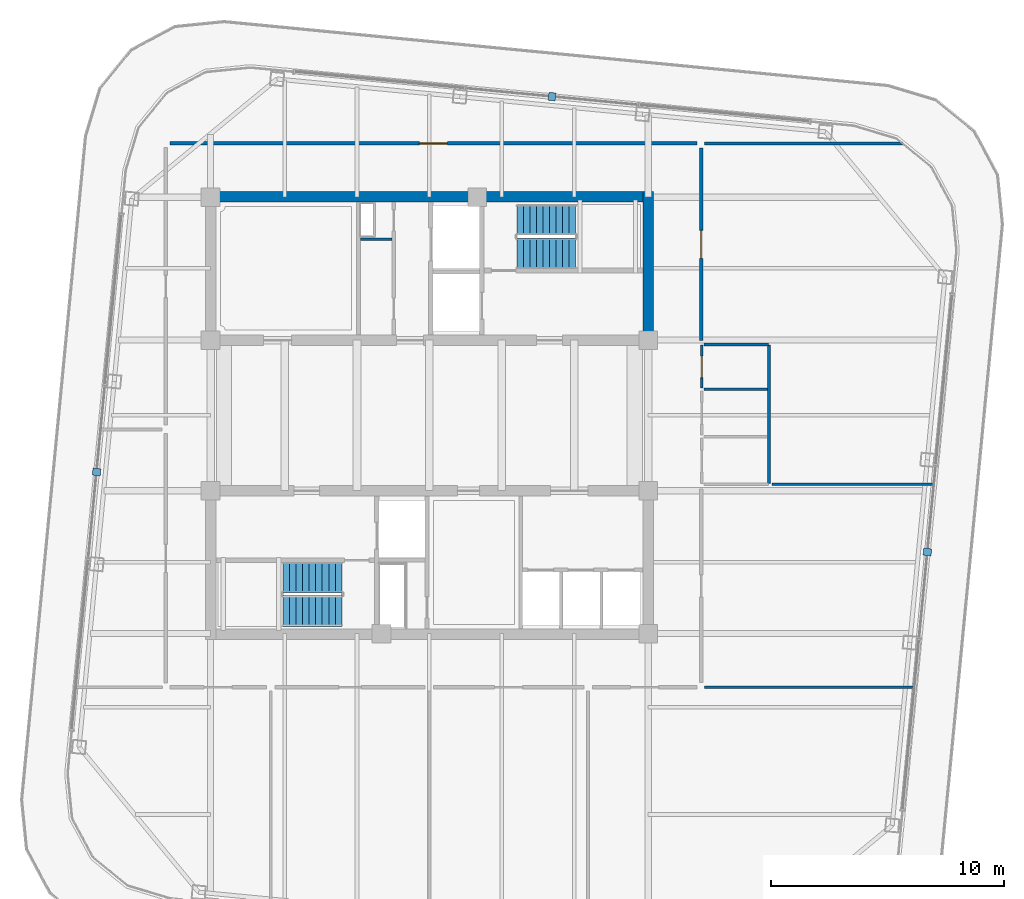
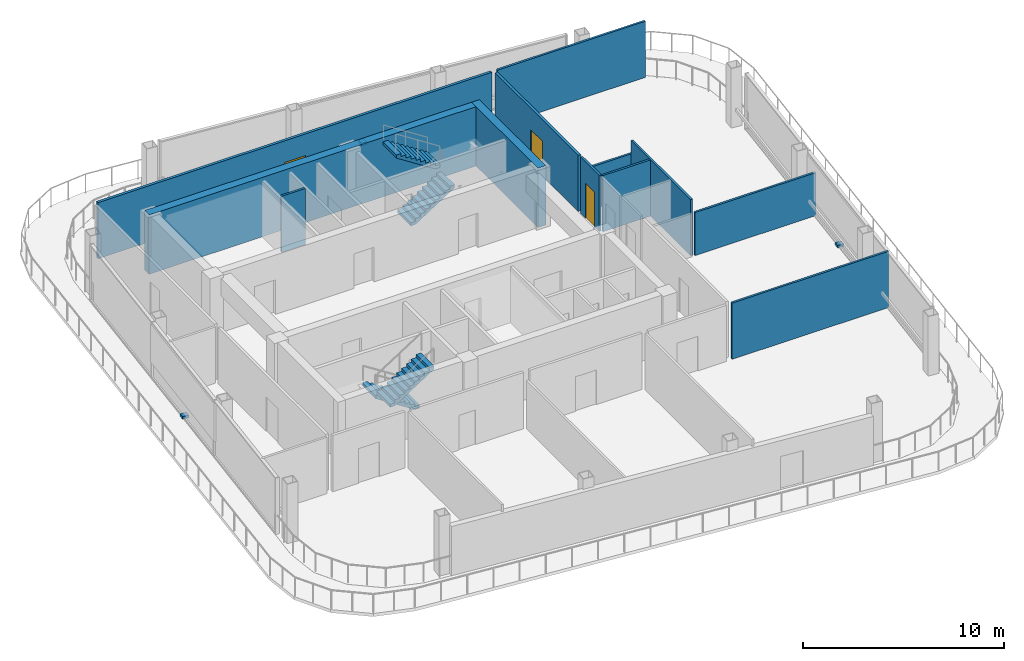
# One storey, part 18 of 23: 12 walls, 4 stair flights, 3 discrete accessories, 3 doors, 3 openings, 2 elements without a shape of their own.
"""IFC4 building model written with IfcOpenShell, lengths in metres."""

from ifc_helpers import new_model, si_unit, direction, frame, frame_2d, origin, origin_2d, place, context, subcontext, project, spatial, polyline, rectangle, outline, extrude, material, layer, layer_set, type_object, element, fill, aggregate, save


model = new_model("IFC4")

# Units and contexts
model_context = context("Model", 3, precision=1e-05, world=origin(), true_north=direction((0.0, 1.0)))
body_context = subcontext(model_context, "Body", "Model", "MODEL_VIEW")
ifc_project = project(units=[si_unit("LENGTHUNIT", "METRE"), si_unit("AREAUNIT", "SQUARE_METRE"), si_unit("VOLUMEUNIT", "CUBIC_METRE"), si_unit("PLANEANGLEUNIT", "RADIAN"), si_unit("MASSUNIT", "GRAM", prefix="KILO")], contexts=[model_context])

# Site, building, storey
site_placement = place(None, origin())
site = spatial("IfcSite", under=ifc_project, at=site_placement, CompositionType="ELEMENT")
building_placement = place(site_placement, origin())
building = spatial("IfcBuilding", under=site, at=building_placement, Name="Qhalaya Broadcast Tower", CompositionType="ELEMENT")
storey_placement = place(building_placement, frame((0.0, 0.0, 276.949951171875)))
storey = spatial("IfcBuildingStorey", under=building, at=storey_placement, Name="L82", CompositionType="ELEMENT", Elevation=276.949951171875)

# Wall, opening, door
ifc_material_1 = material(Name="Gypsum Acoustic Partition")
ifc_layer_1 = layer(ifc_material_1, 0.14990234375, Name="Gypsum Acoustic Partition")
ifc_layer_set_1 = layer_set([ifc_layer_1], Name="Gypsum Acoustic Partition")
wall_type_1 = type_object("IfcWallType", Name="Corridor & Tenancy Acoustic Partition 150", PredefinedType="PARTITIONING", material=ifc_layer_set_1)
wall_1_placement = place(storey_placement, frame((-11.1201171875, 12.25, 0.0), z_axis=(0.0, 0.0, 1.0), x_axis=(1.0, 0.0, 0.0)))
wall_1 = element("IfcWall", 1, at=wall_1_placement, inside=storey, type_object=wall_type_1, Name="L82 Partition Wall W-COR-01", PredefinedType="PARTITIONING", context=body_context, shape_type="SweptSolid", body=[
    extrude(rectangle(XDim=22.590087890625, YDim=0.14990234375, at=frame_2d((11.294921875, 0.0))), origin(), (0.0, 0.0, 1.0), 3.41015625),
])
opening_1_placement = place(wall_1_placement, frame((10.695068359375, 0.0, 0.0)))
opening_1 = element("IfcOpeningElement", 2, at=opening_1_placement, cuts=wall_1, Name="Opening D11", PredefinedType="OPENING", context=body_context, shape_type="SweptSolid", body=[
    extrude(rectangle(XDim=1.199951171875, YDim=2.10009765625, at=frame_2d((0.60009765625, 1.050048828125))), frame((0.0, 0.0869140625, 0.0), z_axis=(0.0, -1.0, 0.0), x_axis=(1.0, 0.0, 0.0)), (0.0, 0.0, 1.0), 0.173828125),
])
ifc_material_2 = material(Name="Anodised Aluminium Glazed Door", Category="aluminium")
door_type_1 = type_object("IfcDoorType", Name="Conference, Boardroom & Studio Control Door D11", OperationType="NOTDEFINED", PredefinedType="DOOR", material=ifc_material_2)
door_1_placement = place(opening_1_placement, origin())
door_1 = element("IfcDoor", 3, at=door_1_placement, inside=storey, type_object=door_type_1, Name="L82 Door D-RM01", OperationType="SINGLE_SWING_RIGHT", OverallHeight=2.10009765625, OverallWidth=1.199951171875, PredefinedType="DOOR", context=body_context, shape_type="SweptSolid", body=[
    extrude(rectangle(XDim=1.199951171875, YDim=2.10009765625, at=frame_2d((0.60009765625, 1.050048828125))), frame((0.0, 0.02490234375, 0.0), z_axis=(0.0, -1.0, 0.0), x_axis=(1.0, 0.0, 0.0)), (0.0, 0.0, 1.0), 0.050048828125),
])
fill(opening_1, door_1)

wall_2_placement = place(storey_placement, frame((11.64990234375, 3.800048828125, 0.0), z_axis=(0.0, 0.0, 1.0), x_axis=(0.0, 1.0, 0.0)))
wall_2 = element("IfcWall", 4, at=wall_2_placement, inside=storey, type_object=wall_type_1, Name="L82 Partition Wall W-COR-09", PredefinedType="PARTITIONING", context=body_context, shape_type="SweptSolid", body=[
    extrude(rectangle(XDim=8.25, YDim=0.14990234375, at=frame_2d((4.125, 0.0))), origin(), (0.0, 0.0, 1.0), 3.41015625),
])
opening_2_placement = place(wall_2_placement, frame((3.52490234375, 0.0, 0.0)))
opening_2 = element("IfcOpeningElement", 5, at=opening_2_placement, cuts=wall_2, Name="Opening D11", PredefinedType="OPENING", context=body_context, shape_type="SweptSolid", body=[
    extrude(rectangle(XDim=1.199951171875, YDim=2.10009765625, at=frame_2d((0.60009765625, 1.050048828125))), frame((0.0, 0.0869140625, 0.0), z_axis=(0.0, -1.0, 0.0), x_axis=(1.0, 0.0, 0.0)), (0.0, 0.0, 1.0), 0.173828125),
])
door_2_placement = place(opening_2_placement, origin())
door_2 = element("IfcDoor", 6, at=door_2_placement, inside=storey, type_object=door_type_1, Name="L82 Door D-RM09", OperationType="SINGLE_SWING_RIGHT", OverallHeight=2.10009765625, OverallWidth=1.199951171875, PredefinedType="DOOR", context=body_context, shape_type="SweptSolid", body=[
    extrude(rectangle(XDim=1.199951171875, YDim=2.10009765625, at=frame_2d((0.60009765625, 1.050048828125))), frame((0.0, 0.02490234375, 0.0), z_axis=(0.0, -1.0, 0.0), x_axis=(1.0, 0.0, 0.0)), (0.0, 0.0, 1.0), 0.050048828125),
])
fill(opening_2, door_2)

# Wall
ifc_layer_2 = layer(ifc_material_1, 0.1201171875, Name="Gypsum Acoustic Partition")
ifc_layer_set_2 = layer_set([ifc_layer_2], Name="Gypsum Acoustic Partition")
wall_type_2 = type_object("IfcWallType", Name="Office, Booth & Sanitary Partition 120", PredefinedType="PARTITIONING", material=ifc_layer_set_2)
wall_3_placement = place(storey_placement, frame((-2.9599609375, 8.14990234375, 0.0), z_axis=(0.0, 0.0, 1.0), x_axis=(1.0, 0.0, 0.0)))
element("IfcWall", 7, at=wall_3_placement, inside=storey, type_object=wall_type_2, Name="L82 Partition Wall NCW-VA", PredefinedType="PARTITIONING", context=body_context, shape_type="SweptSolid", body=[
    extrude(rectangle(XDim=1.35986328125, YDim=0.1201171875, at=frame_2d((0.679931640625, 0.0))), origin(), (0.0, 0.0, 1.0), 3.41015625),
])

# Wall, opening, door
wall_4_placement = place(storey_placement, frame((11.669921875, 1.780029296875, 0.0), z_axis=(0.0, 0.0, 1.0), x_axis=(0.0, 1.0, 0.0)))
wall_4 = element("IfcWall", 8, at=wall_4_placement, inside=storey, type_object=wall_type_2, Name="L82 Partition Wall W-WCWF", PredefinedType="PARTITIONING", context=body_context, shape_type="SweptSolid", body=[
    extrude(rectangle(XDim=1.830078125, YDim=0.1201171875, at=frame_2d((0.9150390625, 0.0))), origin(), (0.0, 0.0, 1.0), 3.41015625),
])
opening_3_placement = place(wall_4_placement, frame((0.43994140625, 0.0, 0.0)))
opening_3 = element("IfcOpeningElement", 9, at=opening_3_placement, cuts=wall_4, Name="Opening D12", PredefinedType="OPENING", context=body_context, shape_type="SweptSolid", body=[
    extrude(rectangle(XDim=0.919921875, YDim=2.10009765625, at=frame_2d((0.4599609375, 1.050048828125))), frame((0.0, 0.072021484375, 0.0), z_axis=(0.0, -1.0, 0.0), x_axis=(1.0, 0.0, 0.0)), (0.0, 0.0, 1.0), 0.14404296875),
])
ifc_material_3 = material(Name="Timber Veneer Acoustic Door", Category="wood")
door_type_2 = type_object("IfcDoorType", Name="Accessible WC & Restroom Door D12", OperationType="NOTDEFINED", PredefinedType="DOOR", material=ifc_material_3)
door_3_placement = place(opening_3_placement, origin())
door_3 = element("IfcDoor", 10, at=door_3_placement, inside=storey, type_object=door_type_2, Name="L82 Door D-WCF", OperationType="SINGLE_SWING_LEFT", OverallHeight=2.10009765625, OverallWidth=0.919921875, PredefinedType="DOOR", context=body_context, shape_type="SweptSolid", body=[
    extrude(rectangle(XDim=0.919921875, YDim=2.10009765625, at=frame_2d((0.4599609375, 1.050048828125))), frame((0.0, 0.02490234375, 0.0), z_axis=(0.0, -1.0, 0.0), x_axis=(1.0, 0.0, 0.0)), (0.0, 0.0, 1.0), 0.050048828125),
])
fill(opening_3, door_3)

# Walls
wall_5_placement = place(storey_placement, frame((14.550048828125, -2.320068359375, 0.0), z_axis=(0.0, 0.0, 1.0), x_axis=(0.0, 1.0, 0.0)))
element("IfcWall", 11, at=wall_5_placement, inside=storey, type_object=wall_type_2, Name="L82 Partition Wall W-WCE", PredefinedType="PARTITIONING", context=body_context, shape_type="SweptSolid", body=[
    extrude(rectangle(XDim=5.93017578125, YDim=0.1201171875, at=frame_2d((2.965087890625, 0.0))), origin(), (0.0, 0.0, 1.0), 3.41015625),
])
wall_6_placement = place(storey_placement, frame((11.760009765625, 3.639892578125, 0.0), z_axis=(0.0, 0.0, 1.0), x_axis=(1.0, 0.0, 0.0)))
element("IfcWall", 12, at=wall_6_placement, inside=storey, type_object=wall_type_2, Name="L82 Partition Wall W-WCN", PredefinedType="PARTITIONING", context=body_context, shape_type="SweptSolid", body=[
    extrude(rectangle(XDim=2.760009765625, YDim=0.1201171875, at=frame_2d((1.3798828125, 0.0))), origin(), (0.0, 0.0, 1.0), 2.610107421875),
])
wall_7_placement = place(storey_placement, frame((11.760009765625, 1.719970703125, 0.0), z_axis=(0.0, 0.0, 1.0), x_axis=(1.0, 0.0, 0.0)))
element("IfcWall", 13, at=wall_7_placement, inside=storey, type_object=wall_type_2, Name="L82 Partition Wall W-WCD2", PredefinedType="PARTITIONING", context=body_context, shape_type="SweptSolid", body=[
    extrude(rectangle(XDim=2.719970703125, YDim=0.1201171875, at=frame_2d((1.35986328125, 0.0))), origin(), (0.0, 0.0, 1.0), 3.41015625),
])
wall_8_placement = place(storey_placement, frame((11.7900390625, 12.25, 0.0), z_axis=(0.0, 0.0, 1.0), x_axis=(1.0, 0.0, 0.0)))
element("IfcWall", 14, at=wall_8_placement, inside=storey, type_object=wall_type_2, Name="L82 Partition Wall W-BNDE1", PredefinedType="PARTITIONING", context=body_context, shape_type="SweptSolid", body=[
    extrude(rectangle(XDim=8.484130859375, YDim=0.1201171875, at=frame_2d((4.2421875, 0.0))), origin(), (0.0, 0.0, 1.0), 3.41015625),
])
wall_9_placement = place(storey_placement, frame((11.7900390625, -11.050048828125, 0.0), z_axis=(0.0, 0.0, 1.0), x_axis=(1.0, 0.0, 0.0)))
element("IfcWall", 15, at=wall_9_placement, inside=storey, type_object=wall_type_2, Name="L82 Partition Wall W-BNDE2", PredefinedType="PARTITIONING", context=body_context, shape_type="SweptSolid", body=[
    extrude(rectangle(XDim=8.989501953125, YDim=0.1201171875, at=frame_2d((4.49462890625, 0.0))), origin(), (0.0, 0.0, 1.0), 3.41015625),
])
wall_10_placement = place(storey_placement, frame((14.68994140625, -2.35009765625, 0.0), z_axis=(0.0, 0.0, 1.0), x_axis=(1.0, 0.0, 0.0)))
element("IfcWall", 16, at=wall_10_placement, inside=storey, type_object=wall_type_2, Name="L82 Partition Wall W-DIVE-WC", PredefinedType="PARTITIONING", context=body_context, shape_type="SweptSolid", body=[
    extrude(rectangle(XDim=6.92724609375, YDim=0.1201171875, at=frame_2d((3.463623046875, 0.0))), origin(), (0.0, 0.0, 1.0), 2.610107421875),
])
ifc_material_4 = material(Name="Concrete C50/60", Category="concrete")
ifc_layer_3 = layer(ifc_material_4, 0.449951171875, Name="Concrete C50/60")
ifc_layer_set_3 = layer_set([ifc_layer_3], Name="Concrete C50/60")
wall_type_3 = type_object("IfcWallType", Name="Upper Split-Core Shear Wall 450", PredefinedType="SHEAR", material=ifc_layer_set_3)
wall_11_placement = place(storey_placement, frame((-9.60009765625, 9.97509765625, 0.0), z_axis=(0.0, 0.0, 1.0), x_axis=(1.0, 0.0, 0.0)))
element("IfcWall", 17, at=wall_11_placement, inside=storey, type_object=wall_type_3, Name="L82 Split-Core Shear Wall CW-NN", PredefinedType="SHEAR", context=body_context, shape_type="SweptSolid", body=[
    extrude(rectangle(XDim=19.2001953125, YDim=0.449951171875, at=frame_2d((9.60009765625, 0.0))), origin(), (0.0, 0.0, 1.0), 3.60009765625),
])
wall_12_placement = place(storey_placement, frame((9.375, 3.60009765625, 0.0), z_axis=(0.0, 0.0, 1.0), x_axis=(0.0, 1.0, 0.0)))
element("IfcWall", 18, at=wall_12_placement, inside=storey, type_object=wall_type_3, Name="L82 Split-Core Shear Wall CW-NE", PredefinedType="SHEAR", context=body_context, shape_type="SweptSolid", body=[
    extrude(rectangle(XDim=6.599853515625, YDim=0.449951171875, at=frame_2d((3.2998046875, 0.0))), origin(), (0.0, 0.0, 1.0), 3.60009765625),
])

# Stair, stair flights
ifc_material_5 = material(Name="Concrete C40/50", Category="concrete")
stair_type = type_object("IfcStairType", Name="Protected Dogleg Core Stair 3600", PredefinedType="TWO_STRAIGHT_RUN_STAIR", material=ifc_material_5)
stair_1_placement = place(storey_placement, origin())
stair_1 = element("IfcStair", 19, at=stair_1_placement, inside=storey, type_object=stair_type, Name="L82 North Core Exit Stair ST-1", PredefinedType="TWO_STRAIGHT_RUN_STAIR")
ifc_material_6 = material(Name="Precast Concrete C40/50", Category="concrete")
stair_flight_type = type_object("IfcStairFlightType", Name="Precast Concrete Stair Flight 3600", PredefinedType="STRAIGHT", material=ifc_material_6)
stair_flight_1_placement = place(storey_placement, frame((3.75, 7.5400390625, 0.0), z_axis=(0.0, 0.0, 1.0), x_axis=(1.0, 0.0, 0.0)))
stair_flight_1 = element("IfcStairFlight", 20, at=stair_flight_1_placement, type_object=stair_flight_type, Name="ST-1 flight 1", NumberOfRisers=10, NumberOfTreads=9, PredefinedType="STRAIGHT", RiserHeight=0.18, TreadLength=0.28, context=body_context, shape_type="SweptSolid", body=[
    extrude(outline(polyline([(0.0, 0.0), (0.0, 0.179931640625), (0.280029296875, 0.179931640625), (0.280029296875, 0.360107421875), (0.56005859375, 0.360107421875), (0.56005859375, 0.5400390625), (0.840087890625, 0.5400390625), (0.840087890625, 0.719970703125), (1.1201171875, 0.719970703125), (1.1201171875, 0.89990234375), (1.39990234375, 0.89990234375), (1.39990234375, 1.080078125), (1.679931640625, 1.080078125), (1.679931640625, 1.260009765625), (1.9599609375, 1.260009765625), (1.9599609375, 1.43994140625), (2.239990234375, 1.43994140625), (2.239990234375, 1.6201171875), (2.52001953125, 1.6201171875), (2.52001953125, 1.800048828125), (2.52001953125, 1.44189453125), (0.277099609375, 0.0), (0.0, 0.0)])), frame((0.0, 0.66015625, 0.0), z_axis=(0.0, -1.0, 0.0), x_axis=(1.0, 0.0, 0.0)), (0.0, 0.0, 1.0), 1.320068359375),
])
stair_flight_2_placement = place(storey_placement, frame((6.27001953125, 8.97998046875, 1.800048828125), z_axis=(0.0, 0.0, 1.0), x_axis=(-1.0, 0.0, 0.0)))
stair_flight_2 = element("IfcStairFlight", 21, at=stair_flight_2_placement, type_object=stair_flight_type, Name="ST-1 flight 2", NumberOfRisers=10, NumberOfTreads=9, PredefinedType="STRAIGHT", RiserHeight=0.18, TreadLength=0.28, context=body_context, shape_type="SweptSolid", body=[
    extrude(outline(polyline([(0.0, 0.0), (0.0, 0.179931640625), (0.280029296875, 0.179931640625), (0.280029296875, 0.360107421875), (0.56005859375, 0.360107421875), (0.56005859375, 0.5400390625), (0.840087890625, 0.5400390625), (0.840087890625, 0.719970703125), (1.1201171875, 0.719970703125), (1.1201171875, 0.89990234375), (1.39990234375, 0.89990234375), (1.39990234375, 1.080078125), (1.679931640625, 1.080078125), (1.679931640625, 1.260009765625), (1.9599609375, 1.260009765625), (1.9599609375, 1.43994140625), (2.239990234375, 1.43994140625), (2.239990234375, 1.6201171875), (2.52001953125, 1.6201171875), (2.52001953125, 1.800048828125), (2.52001953125, 1.44189453125), (0.277099609375, 0.0), (0.0, 0.0)])), frame((0.0, 0.66015625, 0.0), z_axis=(0.0, -1.0, 0.0), x_axis=(1.0, 0.0, 0.0)), (0.0, 0.0, 1.0), 1.320068359375),
])
aggregate(stair_1, [stair_flight_1, stair_flight_2])

stair_2_placement = place(storey_placement, origin())
stair_2 = element("IfcStair", 22, at=stair_2_placement, inside=storey, type_object=stair_type, Name="L82 South Core Exit Stair ST-2", PredefinedType="TWO_STRAIGHT_RUN_STAIR")
stair_flight_3_placement = place(storey_placement, frame((-3.75, -6.340087890625, 0.0), z_axis=(0.0, 0.0, 1.0), x_axis=(-1.0, 0.0, 0.0)))
stair_flight_3 = element("IfcStairFlight", 23, at=stair_flight_3_placement, type_object=stair_flight_type, Name="ST-2 flight 1", NumberOfRisers=10, NumberOfTreads=9, PredefinedType="STRAIGHT", RiserHeight=0.18, TreadLength=0.28, context=body_context, shape_type="SweptSolid", body=[
    extrude(outline(polyline([(0.0, 0.0), (0.0, 0.179931640625), (0.280029296875, 0.179931640625), (0.280029296875, 0.360107421875), (0.56005859375, 0.360107421875), (0.56005859375, 0.5400390625), (0.840087890625, 0.5400390625), (0.840087890625, 0.719970703125), (1.1201171875, 0.719970703125), (1.1201171875, 0.89990234375), (1.39990234375, 0.89990234375), (1.39990234375, 1.080078125), (1.679931640625, 1.080078125), (1.679931640625, 1.260009765625), (1.9599609375, 1.260009765625), (1.9599609375, 1.43994140625), (2.239990234375, 1.43994140625), (2.239990234375, 1.6201171875), (2.52001953125, 1.6201171875), (2.52001953125, 1.800048828125), (2.52001953125, 1.44189453125), (0.277099609375, 0.0), (0.0, 0.0)])), frame((0.0, 0.66015625, 0.0), z_axis=(0.0, -1.0, 0.0), x_axis=(1.0, 0.0, 0.0)), (0.0, 0.0, 1.0), 1.320068359375),
])
stair_flight_4_placement = place(storey_placement, frame((-6.27001953125, -7.780029296875, 1.800048828125), z_axis=(0.0, 0.0, 1.0), x_axis=(1.0, 0.0, 0.0)))
stair_flight_4 = element("IfcStairFlight", 24, at=stair_flight_4_placement, type_object=stair_flight_type, Name="ST-2 flight 2", NumberOfRisers=10, NumberOfTreads=9, PredefinedType="STRAIGHT", RiserHeight=0.18, TreadLength=0.28, context=body_context, shape_type="SweptSolid", body=[
    extrude(outline(polyline([(0.0, 0.0), (0.0, 0.179931640625), (0.280029296875, 0.179931640625), (0.280029296875, 0.360107421875), (0.56005859375, 0.360107421875), (0.56005859375, 0.5400390625), (0.840087890625, 0.5400390625), (0.840087890625, 0.719970703125), (1.1201171875, 0.719970703125), (1.1201171875, 0.89990234375), (1.39990234375, 0.89990234375), (1.39990234375, 1.080078125), (1.679931640625, 1.080078125), (1.679931640625, 1.260009765625), (1.9599609375, 1.260009765625), (1.9599609375, 1.43994140625), (2.239990234375, 1.43994140625), (2.239990234375, 1.6201171875), (2.52001953125, 1.6201171875), (2.52001953125, 1.800048828125), (2.52001953125, 1.44189453125), (0.277099609375, 0.0), (0.0, 0.0)])), frame((0.0, 0.66015625, 0.0), z_axis=(0.0, -1.0, 0.0), x_axis=(1.0, 0.0, 0.0)), (0.0, 0.0, 1.0), 1.320068359375),
])
aggregate(stair_2, [stair_flight_3, stair_flight_4])

# Discrete accessories
ifc_material_7 = material(Name="Structural Steel ASTM A572 Grade 50", Category="steel")
discrete_accessory_type = type_object("IfcDiscreteAccessoryType", Name="Facade Baguette Support Bracket BRK-01", PredefinedType="BRACKET", material=ifc_material_7)
for number, where, z_axis, x_axis, name in (
    (25, (21.337646484375, -5.25390625, 0.0), (0.0, 0.0, 1.0), (0.09584575252, 0.995396198367, 0.0), "L82 Baguette Support Bracket E"),
    (26, (5.25390625, 14.2578125, 0.0), (0.0, 0.0, 1.0), (-0.995396198367, 0.09584575252, 0.0), "L82 Baguette Support Bracket N"),
    (27, (-14.2578125, -1.826171875, 0.0), (0.0, 0.0, 1.0), (-0.09584575252, -0.995396198367, 0.0), "L82 Baguette Support Bracket W"),
):
    element("IfcDiscreteAccessory", number, at=place(storey_placement, frame(where, z_axis=z_axis, x_axis=x_axis)), inside=storey, type_object=discrete_accessory_type, Name=name, PredefinedType="BRACKET", context=body_context, shape_type="SweptSolid", body=[
        extrude(rectangle(XDim=0.300048828125, YDim=0.340087890625, at=origin_2d()), origin(), (0.0, 0.0, 1.0), 0.159912109375),
    ])

save(model, "model.ifc")
